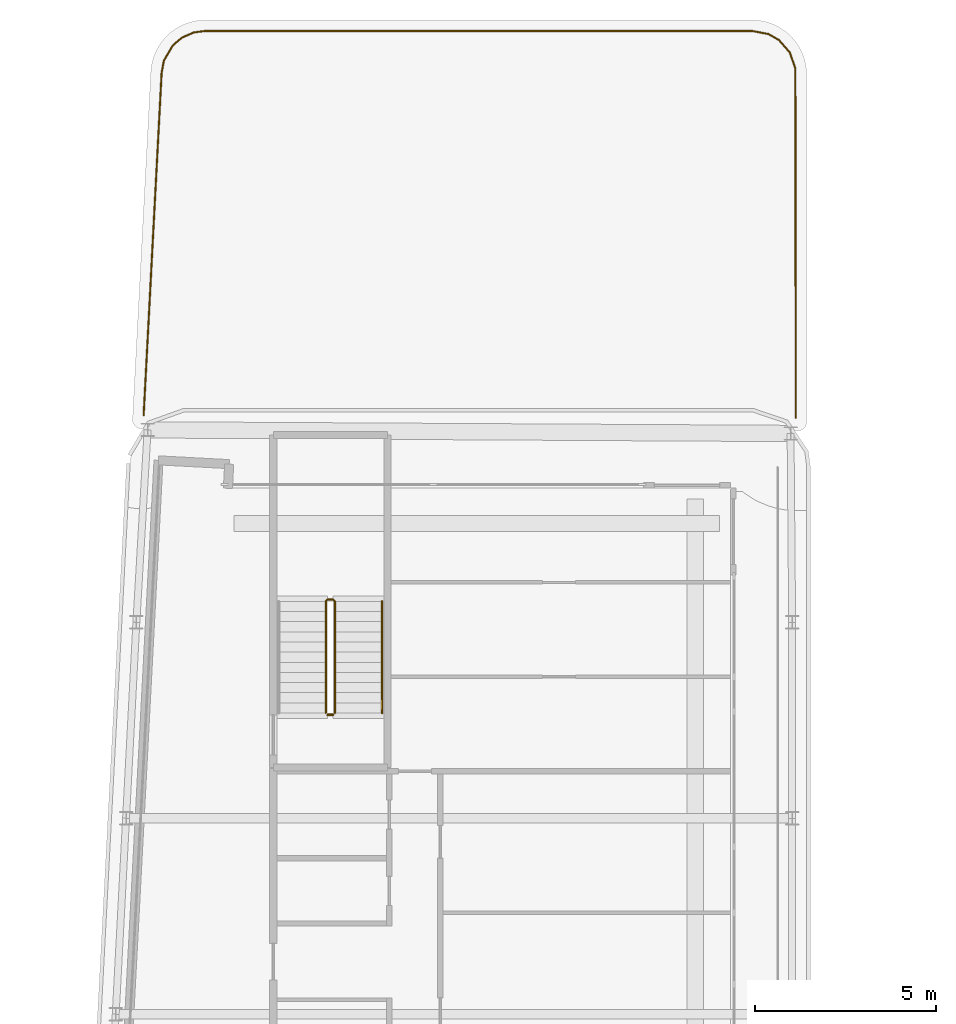
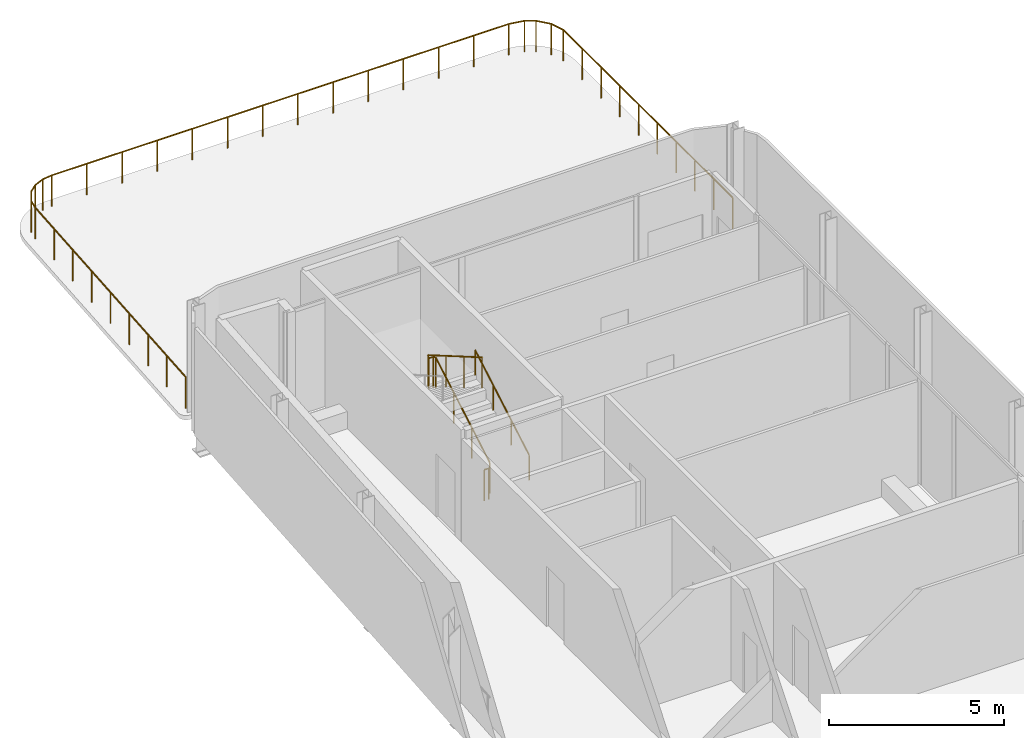
# One storey, part 14 of 15: 4 railings.
"""IFC4 building model written with IfcOpenShell, lengths in metres."""

from ifc_helpers import new_model, si_unit, direction, frame, origin, origin_2d, place, context, subcontext, project, spatial, circle, extrude, material, type_object, element, save


model = new_model("IFC4")

# Units and contexts
model_context = context("Model", 3, precision=1e-05, world=origin(), true_north=direction((0.0, 1.0)))
body_context = subcontext(model_context, "Body", "Model", "MODEL_VIEW")
ifc_project = project(units=[si_unit("LENGTHUNIT", "METRE"), si_unit("AREAUNIT", "SQUARE_METRE"), si_unit("VOLUMEUNIT", "CUBIC_METRE"), si_unit("PLANEANGLEUNIT", "RADIAN"), si_unit("MASSUNIT", "GRAM", prefix="KILO")], contexts=[model_context])

# Site, building, storey
site_placement = place(None, origin())
site = spatial("IfcSite", under=ifc_project, at=site_placement, CompositionType="ELEMENT")
building_placement = place(site_placement, origin())
building = spatial("IfcBuilding", under=site, at=building_placement, Name="Kheshtan School and Residences Tower", CompositionType="ELEMENT")
storey_placement = place(building_placement, frame((0.0, 0.0, 338.300048828125)))
storey = spatial("IfcBuildingStorey", under=building, at=storey_placement, Name="L79", CompositionType="ELEMENT", Elevation=338.300048828125)

# Railings
ifc_material_1 = material(Name="Stainless steel balustrade", Category="steel")
railing_type_1 = type_object("IfcRailingType", Name="Loggia guard 1100", PredefinedType="GUARDRAIL", material=ifc_material_1)
railing_1_placement = place(storey_placement, frame((29.72705078125, 89.10107421875, 0.0)))
element("IfcRailing", 1, at=railing_1_placement, inside=storey, type_object=railing_type_1, Name="Terrace guard L79 1", PredefinedType="GUARDRAIL", context=body_context, shape_type="SweptSolid", body=[
    extrude(circle(Radius=0.02392578125, at=origin_2d()), frame((0.0, 0.0, 1.076171875), z_axis=(0.052432817991, 0.998624453735, 0.0), x_axis=(-0.998624453735, 0.052432817991, 0.0)), (0.0, 0.0, 1.0), 9.456787109375),
    extrude(circle(Radius=0.02392578125, at=origin_2d()), frame((0.495849609375, 9.44384765625, 1.076171875), z_axis=(0.182552493759, 0.98319610812, 0.0), x_axis=(-0.98319610812, 0.182552493759, 0.0)), (0.0, 0.0, 1.0), 0.339599609375),
    extrude(circle(Radius=0.02392578125, at=origin_2d()), frame((0.557861328125, 9.77783203125, 1.076171875), z_axis=(0.505503265618, 0.862824691609, 0.0), x_axis=(-0.862824691609, 0.505503265618, 0.0)), (0.0, 0.0, 1.0), 0.49267578125),
    extrude(circle(Radius=0.02392578125, at=origin_2d()), frame((0.806884765625, 10.202880859375, 1.076171875), z_axis=(0.765528795951, 0.643401633951, 0.0), x_axis=(-0.643401633951, 0.765528795951, 0.0)), (0.0, 0.0, 1.0), 0.327880859375),
    extrude(circle(Radius=0.02392578125, at=origin_2d()), frame((1.057861328125, 10.413818359375, 1.076171875), z_axis=(0.915918115039, 0.401365178539, 0.0), x_axis=(-0.401365178539, 0.915918115039, 0.0)), (0.0, 0.0, 1.0), 0.3515625),
    extrude(circle(Radius=0.02392578125, at=origin_2d()), frame((1.3798828125, 10.554931640625, 1.076171875), z_axis=(0.991045565988, 0.133524103202, 0.0), x_axis=(-0.133524103202, 0.991045565988, 0.0)), (0.0, 0.0, 1.0), 0.3291015625),
    extrude(circle(Radius=0.02392578125, at=origin_2d()), frame((1.7060546875, 10.598876953125, 1.076171875), z_axis=(1.0, 0.0, 0.0), x_axis=(0.0, 1.0, 0.0)), (0.0, 0.0, 1.0), 15.055908203125),
    extrude(circle(Radius=0.02392578125, at=origin_2d()), frame((16.761962890625, 10.598876953125, 1.076171875), z_axis=(0.982065510661, -0.188540003102, 0.0), x_axis=(0.188540003102, 0.982065510661, 0.0)), (0.0, 0.0, 1.0), 0.471435546875),
    extrude(circle(Radius=0.02392578125, at=origin_2d()), frame((17.224853515625, 10.510009765625, 1.076171875), z_axis=(0.866036909293, -0.499980071345, 0.0), x_axis=(0.499980071345, 0.866036909293, 0.0)), (0.0, 0.0, 1.0), 0.328125),
    extrude(circle(Radius=0.02392578125, at=origin_2d()), frame((17.509033203125, 10.345947265625, 1.076171875), z_axis=(0.658999982497, -0.752142953879, 0.0), x_axis=(0.752142953879, 0.658999982497, 0.0)), (0.0, 0.0, 1.0), 0.453369140625),
    extrude(circle(Radius=0.02392578125, at=origin_2d()), frame((17.807861328125, 10.0048828125, 1.076171875), z_axis=(0.327325720244, -0.944911568808, 0.0), x_axis=(0.944911568808, 0.327325720244, 0.0)), (0.0, 0.0, 1.0), 0.4677734375),
    extrude(circle(Radius=0.02392578125, at=origin_2d()), frame((17.9609375, 9.56298828125, 1.076171875), z_axis=(0.001242644608, -0.999999227917, 0.0), x_axis=(0.999999227917, 0.001242644608, 0.0)), (0.0, 0.0, 1.0), 9.626953125),
    extrude(circle(Radius=0.02099609375, at=origin_2d()), origin(), (0.0, 0.0, 1.0), 1.052001953125),
    extrude(circle(Radius=0.02099609375, at=origin_2d()), frame((0.06201171875, 1.180419921875, 0.0)), (0.0, 0.0, 1.0), 1.052001953125),
    extrude(circle(Radius=0.02099609375, at=origin_2d()), frame((0.1240234375, 2.36083984375, 0.0)), (0.0, 0.0, 1.0), 1.052001953125),
    extrude(circle(Radius=0.02099609375, at=origin_2d()), frame((0.18603515625, 3.54150390625, 0.0)), (0.0, 0.0, 1.0), 1.052001953125),
    extrude(circle(Radius=0.02099609375, at=origin_2d()), frame((0.248046875, 4.721923828125, 0.0)), (0.0, 0.0, 1.0), 1.052001953125),
    extrude(circle(Radius=0.02099609375, at=origin_2d()), frame((0.309814453125, 5.90234375, 0.0)), (0.0, 0.0, 1.0), 1.052001953125),
    extrude(circle(Radius=0.02099609375, at=origin_2d()), frame((0.371826171875, 7.0830078125, 0.0)), (0.0, 0.0, 1.0), 1.052001953125),
    extrude(circle(Radius=0.02099609375, at=origin_2d()), frame((0.433837890625, 8.263427734375, 0.0)), (0.0, 0.0, 1.0), 1.052001953125),
    extrude(circle(Radius=0.02099609375, at=origin_2d()), frame((0.495849609375, 9.44384765625, 0.0)), (0.0, 0.0, 1.0), 1.052001953125),
    extrude(circle(Radius=0.02099609375, at=origin_2d()), frame((0.557861328125, 9.77783203125, 0.0)), (0.0, 0.0, 1.0), 1.052001953125),
    extrude(circle(Radius=0.02099609375, at=origin_2d()), frame((0.806884765625, 10.202880859375, 0.0)), (0.0, 0.0, 1.0), 1.052001953125),
    extrude(circle(Radius=0.02099609375, at=origin_2d()), frame((1.057861328125, 10.413818359375, 0.0)), (0.0, 0.0, 1.0), 1.052001953125),
    extrude(circle(Radius=0.02099609375, at=origin_2d()), frame((1.3798828125, 10.554931640625, 0.0)), (0.0, 0.0, 1.0), 1.052001953125),
    extrude(circle(Radius=0.02099609375, at=origin_2d()), frame((1.7060546875, 10.598876953125, 0.0)), (0.0, 0.0, 1.0), 1.052001953125),
    extrude(circle(Radius=0.02099609375, at=origin_2d()), frame((2.8642578125, 10.598876953125, 0.0)), (0.0, 0.0, 1.0), 1.052001953125),
    extrude(circle(Radius=0.02099609375, at=origin_2d()), frame((4.0224609375, 10.598876953125, 0.0)), (0.0, 0.0, 1.0), 1.052001953125),
    extrude(circle(Radius=0.02099609375, at=origin_2d()), frame((5.180419921875, 10.598876953125, 0.0)), (0.0, 0.0, 1.0), 1.052001953125),
    extrude(circle(Radius=0.02099609375, at=origin_2d()), frame((6.338623046875, 10.598876953125, 0.0)), (0.0, 0.0, 1.0), 1.052001953125),
    extrude(circle(Radius=0.02099609375, at=origin_2d()), frame((7.496826171875, 10.598876953125, 0.0)), (0.0, 0.0, 1.0), 1.052001953125),
    extrude(circle(Radius=0.02099609375, at=origin_2d()), frame((8.655029296875, 10.598876953125, 0.0)), (0.0, 0.0, 1.0), 1.052001953125),
    extrude(circle(Radius=0.02099609375, at=origin_2d()), frame((9.81298828125, 10.598876953125, 0.0)), (0.0, 0.0, 1.0), 1.052001953125),
    extrude(circle(Radius=0.02099609375, at=origin_2d()), frame((10.97119140625, 10.598876953125, 0.0)), (0.0, 0.0, 1.0), 1.052001953125),
    extrude(circle(Radius=0.02099609375, at=origin_2d()), frame((12.12939453125, 10.598876953125, 0.0)), (0.0, 0.0, 1.0), 1.052001953125),
    extrude(circle(Radius=0.02099609375, at=origin_2d()), frame((13.28759765625, 10.598876953125, 0.0)), (0.0, 0.0, 1.0), 1.052001953125),
    extrude(circle(Radius=0.02099609375, at=origin_2d()), frame((14.445556640625, 10.598876953125, 0.0)), (0.0, 0.0, 1.0), 1.052001953125),
    extrude(circle(Radius=0.02099609375, at=origin_2d()), frame((15.603759765625, 10.598876953125, 0.0)), (0.0, 0.0, 1.0), 1.052001953125),
    extrude(circle(Radius=0.02099609375, at=origin_2d()), frame((16.761962890625, 10.598876953125, 0.0)), (0.0, 0.0, 1.0), 1.052001953125),
    extrude(circle(Radius=0.02099609375, at=origin_2d()), frame((17.224853515625, 10.510009765625, 0.0)), (0.0, 0.0, 1.0), 1.052001953125),
    extrude(circle(Radius=0.02099609375, at=origin_2d()), frame((17.509033203125, 10.345947265625, 0.0)), (0.0, 0.0, 1.0), 1.052001953125),
    extrude(circle(Radius=0.02099609375, at=origin_2d()), frame((17.807861328125, 10.0048828125, 0.0)), (0.0, 0.0, 1.0), 1.052001953125),
    extrude(circle(Radius=0.02099609375, at=origin_2d()), frame((17.9609375, 9.56298828125, 0.0)), (0.0, 0.0, 1.0), 1.052001953125),
    extrude(circle(Radius=0.02099609375, at=origin_2d()), frame((17.962158203125, 8.493408203125, 0.0)), (0.0, 0.0, 1.0), 1.052001953125),
    extrude(circle(Radius=0.02099609375, at=origin_2d()), frame((17.963623046875, 7.423583984375, 0.0)), (0.0, 0.0, 1.0), 1.052001953125),
    extrude(circle(Radius=0.02099609375, at=origin_2d()), frame((17.96484375, 6.35400390625, 0.0)), (0.0, 0.0, 1.0), 1.052001953125),
    extrude(circle(Radius=0.02099609375, at=origin_2d()), frame((17.96630859375, 5.284423828125, 0.0)), (0.0, 0.0, 1.0), 1.052001953125),
    extrude(circle(Radius=0.02099609375, at=origin_2d()), frame((17.967529296875, 4.214599609375, 0.0)), (0.0, 0.0, 1.0), 1.052001953125),
    extrude(circle(Radius=0.02099609375, at=origin_2d()), frame((17.968994140625, 3.14501953125, 0.0)), (0.0, 0.0, 1.0), 1.052001953125),
    extrude(circle(Radius=0.02099609375, at=origin_2d()), frame((17.97021484375, 2.075439453125, 0.0)), (0.0, 0.0, 1.0), 1.052001953125),
    extrude(circle(Radius=0.02099609375, at=origin_2d()), frame((17.9716796875, 1.005615234375, 0.0)), (0.0, 0.0, 1.0), 1.052001953125),
    extrude(circle(Radius=0.02099609375, at=origin_2d()), frame((17.972900390625, -0.06396484375, 0.0)), (0.0, 0.0, 1.0), 1.052001953125),
])
railing_type_2 = type_object("IfcRailingType", Name="Stair guard 1100", PredefinedType="GUARDRAIL", material=ifc_material_1)
railing_2_placement = place(storey_placement, frame((35.0, 80.89990234375, 0.162353515625)))
element("IfcRailing", 2, at=railing_2_placement, inside=storey, type_object=railing_type_2, Name="L79 ST3 stair guard 1", PredefinedType="GUARDRAIL", context=body_context, shape_type="SweptSolid", body=[
    extrude(circle(Radius=0.02392578125, at=origin_2d()), frame((0.0, 0.0, 1.076171875), z_axis=(0.0, 0.864890721111, 0.501960198159), x_axis=(-1.0, 0.0, 0.0)), (0.0, 0.0, 1.0), 3.561279296875),
    extrude(circle(Radius=0.02392578125, at=origin_2d()), frame((0.0, 3.080078125, 2.86376953125), z_axis=(-0.707106781187, 0.707106781187, 0.0), x_axis=(-0.707106781187, -0.707106781187, 0.0)), (0.0, 0.0, 1.0), 0.07080078125),
    extrude(circle(Radius=0.02392578125, at=origin_2d()), frame((-0.050048828125, 3.130126953125, 2.86376953125), z_axis=(-1.0, 0.0, 0.0), x_axis=(0.0, -1.0, 0.0)), (0.0, 0.0, 1.0), 0.14990234375),
    extrude(circle(Radius=0.02392578125, at=origin_2d()), frame((-0.199951171875, 3.130126953125, 2.86376953125), z_axis=(-0.282227285176, -0.282227285176, 0.916894497205), x_axis=(0.707106781187, -0.707106781187, 0.0)), (0.0, 0.0, 1.0), 0.17724609375),
    extrude(circle(Radius=0.02392578125, at=origin_2d()), frame((-0.25, 3.080078125, 3.0263671875), z_axis=(0.0, -0.864920483161, 0.501908913857), x_axis=(1.0, 0.0, 0.0)), (0.0, 0.0, 1.0), 3.56103515625),
    extrude(circle(Radius=0.02099609375, at=origin_2d()), origin(), (0.0, 0.0, 1.0), 1.052001953125),
    extrude(circle(Radius=0.02099609375, at=origin_2d()), frame((0.0, 1.026611328125, 0.595947265625)), (0.0, 0.0, 1.0), 1.052001953125),
    extrude(circle(Radius=0.02099609375, at=origin_2d()), frame((0.0, 2.053466796875, 1.191650390625)), (0.0, 0.0, 1.0), 1.052001953125),
    extrude(circle(Radius=0.02099609375, at=origin_2d()), frame((0.0, 3.080078125, 1.78759765625)), (0.0, 0.0, 1.0), 1.052001953125),
    extrude(circle(Radius=0.02099609375, at=origin_2d()), frame((-0.050048828125, 3.130126953125, 1.78759765625)), (0.0, 0.0, 1.0), 1.052001953125),
    extrude(circle(Radius=0.02099609375, at=origin_2d()), frame((-0.199951171875, 3.130126953125, 1.78759765625)), (0.0, 0.0, 1.0), 1.052001953125),
    extrude(circle(Radius=0.02099609375, at=origin_2d()), frame((-0.25, 3.080078125, 1.9501953125)), (0.0, 0.0, 1.0), 1.052001953125),
    extrude(circle(Radius=0.02099609375, at=origin_2d()), frame((-0.25, 2.053466796875, 2.5458984375)), (0.0, 0.0, 1.0), 1.052001953125),
    extrude(circle(Radius=0.02099609375, at=origin_2d()), frame((-0.25, 1.026611328125, 3.141845703125)), (0.0, 0.0, 1.0), 1.052001953125),
    extrude(circle(Radius=0.02099609375, at=origin_2d()), frame((-0.25, 0.0, 3.737548828125)), (0.0, 0.0, 1.0), 1.052001953125),
])
railing_3_placement = place(storey_placement, frame((34.949951171875, 80.85009765625, 0.0)))
element("IfcRailing", 3, at=railing_3_placement, inside=storey, type_object=railing_type_2, Name="L79 ST3 stair guard 2", PredefinedType="GUARDRAIL", context=body_context, shape_type="SweptSolid", body=[
    extrude(circle(Radius=0.02392578125, at=origin_2d()), frame((0.0, 0.0, 1.076171875), z_axis=(-1.0, 0.0, 0.0), x_axis=(0.0, -1.0, 0.0)), (0.0, 0.0, 1.0), 0.14990234375),
    extrude(circle(Radius=0.02099609375, at=origin_2d()), origin(), (0.0, 0.0, 1.0), 1.052001953125),
    extrude(circle(Radius=0.02099609375, at=origin_2d()), frame((-0.14990234375, 0.0, 0.0)), (0.0, 0.0, 1.0), 1.052001953125),
])
ifc_material_2 = material(Name="Stainless steel handrail", Category="steel")
railing_type_3 = type_object("IfcRailingType", Name="Stair handrail 900", PredefinedType="HANDRAIL", material=ifc_material_2)
railing_4_placement = place(storey_placement, frame((36.300048828125, 80.89990234375, 0.162353515625)))
element("IfcRailing", 4, at=railing_4_placement, inside=storey, type_object=railing_type_3, Name="L79 ST3 stair handrail 1", PredefinedType="HANDRAIL", context=body_context, shape_type="SweptSolid", body=[
    extrude(circle(Radius=0.02392578125, at=origin_2d()), frame((0.0, 0.0, 0.8759765625), z_axis=(0.0, 0.864890721111, 0.501960198159), x_axis=(-1.0, 0.0, 0.0)), (0.0, 0.0, 1.0), 3.561279296875),
    extrude(circle(Radius=0.02099609375, at=origin_2d()), origin(), (0.0, 0.0, 1.0), 0.851806640625),
    extrude(circle(Radius=0.02099609375, at=origin_2d()), frame((0.0, 1.026611328125, 0.595947265625)), (0.0, 0.0, 1.0), 0.851806640625),
    extrude(circle(Radius=0.02099609375, at=origin_2d()), frame((0.0, 2.053466796875, 1.191650390625)), (0.0, 0.0, 1.0), 0.851806640625),
    extrude(circle(Radius=0.02099609375, at=origin_2d()), frame((0.0, 3.080078125, 1.78759765625)), (0.0, 0.0, 1.0), 0.851806640625),
])

save(model, "model.ifc")
